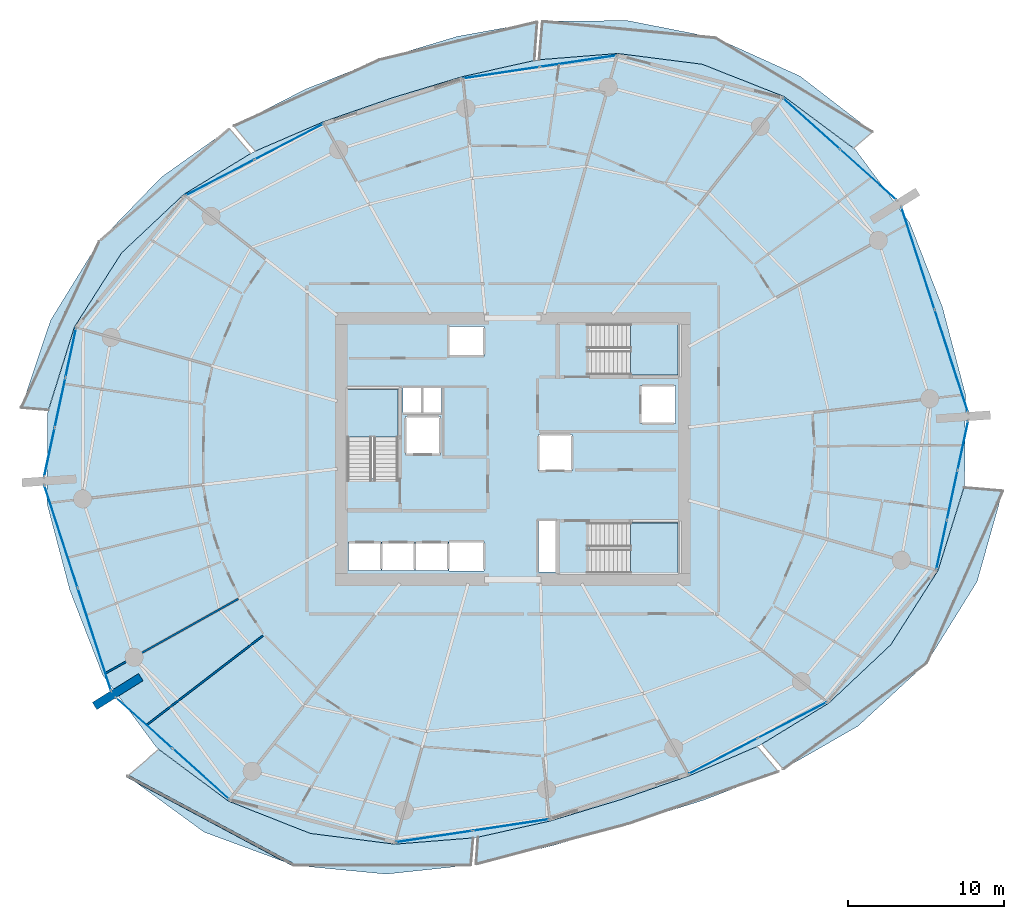
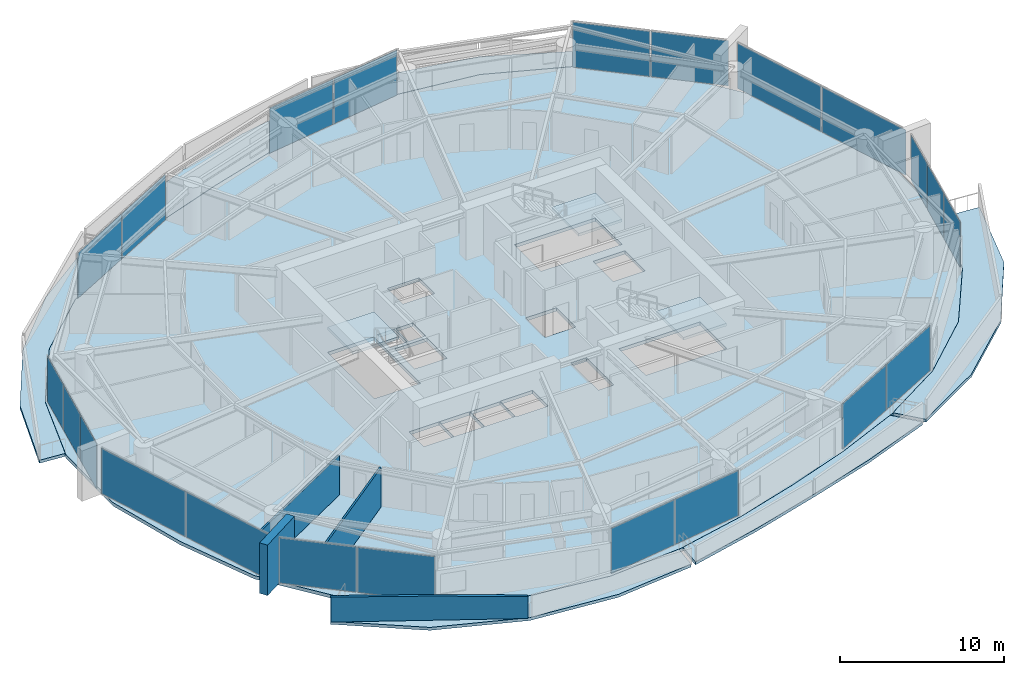
# One storey, part 10 of 22: 22 plates, 10 slabs, 4 walls, 13 elements without a shape of their own.
"""IFC4 building model written with IfcOpenShell, lengths in metres."""

from ifc_helpers import new_model, si_unit, direction, frame, frame_2d, origin, origin_2d, place, context, subcontext, project, spatial, polyline, rectangle, outline, extrude, material, layer, layer_set, type_object, element, aggregate, save


model = new_model("IFC4")

# Units and contexts
model_context = context("Model", 3, precision=1e-05, world=origin(), true_north=direction((0.0, 1.0)))
body_context = subcontext(model_context, "Body", "Model", "MODEL_VIEW")
ifc_project = project(units=[si_unit("LENGTHUNIT", "METRE"), si_unit("AREAUNIT", "SQUARE_METRE"), si_unit("VOLUMEUNIT", "CUBIC_METRE"), si_unit("PLANEANGLEUNIT", "RADIAN"), si_unit("MASSUNIT", "GRAM", prefix="KILO")], contexts=[model_context])

# Site, building, storey
site_placement = place(None, origin())
site = spatial("IfcSite", under=ifc_project, at=site_placement, CompositionType="ELEMENT")
building_placement = place(site_placement, origin())
building = spatial("IfcBuilding", under=site, at=building_placement, Name="Kazma Halo Residences", CompositionType="ELEMENT")
storey_placement = place(building_placement, frame((0.0, 0.0, 90.14990234375)))
storey = spatial("IfcBuildingStorey", under=building, at=storey_placement, Name="L22", CompositionType="ELEMENT", Elevation=90.14990234375)

# Curtain wall, plates
ifc_material_1 = material(Name="Aluminium AW-6063 T6 and Triple-Silver Low-E Glass", Category="aluminium")
ifc_layer_1 = layer(ifc_material_1, 0.199951171875)
ifc_layer_set_1 = layer_set([ifc_layer_1], Name="Aluminium AW-6063 T6 and Triple-Silver Low-E Glass")
curtain_wall_type = type_object("IfcCurtainWallType", Name="CW-SYS-3", PredefinedType="NOTDEFINED", material=ifc_layer_set_1)
curtain_wall_1_placement = place(storey_placement, origin())
curtain_wall_1 = element("IfcCurtainWall", 1, at=curtain_wall_1_placement, inside=storey, type_object=curtain_wall_type, Name="L22 unitised curtain wall B01", PredefinedType="NOTDEFINED")
ifc_material_2 = material(Name="Clear Triple-Silver Low-E Glass IGU", Category="glass")
ifc_layer_2 = layer(ifc_material_2, 0.030029296875)
ifc_layer_set_2 = layer_set([ifc_layer_2], Name="Clear Triple-Silver Low-E Glass IGU")
plate_type = type_object("IfcPlateType", Name="CW-SYS-3-PNL", PredefinedType="CURTAIN_PANEL", material=ifc_layer_set_2)
plate_1_placement = place(storey_placement, frame((71.251220703125, 59.614013671875, 0.06982421875), z_axis=(0.0, 0.0, 1.0), x_axis=(-0.744345279359, 0.667794957375, 0.0)))
plate_1 = element("IfcPlate", 2, at=plate_1_placement, type_object=plate_type, Name="CWS-3 panel 1.1", PredefinedType="CURTAIN_PANEL", context=body_context, shape_type="SweptSolid", body=[
    extrude(rectangle(XDim=4.81982421875, YDim=0.030029296875, at=origin_2d()), origin(), (0.0, 0.0, 1.0), 3.360107421875),
])
plate_2_placement = place(storey_placement, frame((67.611572265625, 62.87939453125, 0.06982421875), z_axis=(0.0, 0.0, 1.0), x_axis=(-0.744345279359, 0.667794957375, 0.0)))
plate_2 = element("IfcPlate", 3, at=plate_2_placement, type_object=plate_type, Name="CWS-3 panel 2.1", PredefinedType="CURTAIN_PANEL", context=body_context, shape_type="SweptSolid", body=[
    extrude(rectangle(XDim=4.81982421875, YDim=0.030029296875, at=origin_2d()), origin(), (0.0, 0.0, 1.0), 3.360107421875),
])
aggregate(curtain_wall_1, [plate_1, plate_2])

curtain_wall_2_placement = place(storey_placement, origin())
curtain_wall_2 = element("IfcCurtainWall", 4, at=curtain_wall_2_placement, inside=storey, type_object=curtain_wall_type, Name="L22 unitised curtain wall B03", PredefinedType="NOTDEFINED")
plate_3_placement = place(storey_placement, frame((52.625732421875, 66.900390625, 0.06982421875), z_axis=(0.0, 0.0, 1.0), x_axis=(-0.988879747814, -0.148717330409, 0.0)))
plate_3 = element("IfcPlate", 5, at=plate_3_placement, type_object=plate_type, Name="CWS-3 panel 1.1", PredefinedType="CURTAIN_PANEL", context=body_context, shape_type="SweptSolid", body=[
    extrude(rectangle(XDim=4.922607421875, YDim=0.030029296875, at=origin_2d()), origin(), (0.0, 0.0, 1.0), 3.360107421875),
])
plate_4_placement = place(storey_placement, frame((47.6884765625, 66.157958984375, 0.06982421875), z_axis=(0.0, 0.0, 1.0), x_axis=(-0.988879747814, -0.148717330409, 0.0)))
plate_4 = element("IfcPlate", 6, at=plate_4_placement, type_object=plate_type, Name="CWS-3 panel 2.1", PredefinedType="CURTAIN_PANEL", context=body_context, shape_type="SweptSolid", body=[
    extrude(rectangle(XDim=4.922607421875, YDim=0.030029296875, at=origin_2d()), origin(), (0.0, 0.0, 1.0), 3.360107421875),
])
aggregate(curtain_wall_2, [plate_3, plate_4])

curtain_wall_3_placement = place(storey_placement, origin())
curtain_wall_3 = element("IfcCurtainWall", 7, at=curtain_wall_3_placement, inside=storey, type_object=curtain_wall_type, Name="L22 unitised curtain wall B05", PredefinedType="NOTDEFINED")
plate_5_placement = place(storey_placement, frame((34.052490234375, 61.727294921875, 0.06982421875), z_axis=(0.0, 0.0, 1.0), x_axis=(-0.887435374749, -0.460932159481, 0.0)))
plate_5 = element("IfcPlate", 8, at=plate_5_placement, type_object=plate_type, Name="CWS-3 panel 1.1", PredefinedType="CURTAIN_PANEL", context=body_context, shape_type="SweptSolid", body=[
    extrude(rectangle(XDim=4.9228515625, YDim=0.030029296875, at=origin_2d()), origin(), (0.0, 0.0, 1.0), 3.360107421875),
])
plate_6_placement = place(storey_placement, frame((29.62158203125, 59.426025390625, 0.06982421875), z_axis=(0.0, 0.0, 1.0), x_axis=(-0.887435374749, -0.460932159481, 0.0)))
plate_6 = element("IfcPlate", 9, at=plate_6_placement, type_object=plate_type, Name="CWS-3 panel 2.1", PredefinedType="CURTAIN_PANEL", context=body_context, shape_type="SweptSolid", body=[
    extrude(rectangle(XDim=4.9228515625, YDim=0.030029296875, at=origin_2d()), origin(), (0.0, 0.0, 1.0), 3.360107421875),
])
aggregate(curtain_wall_3, [plate_5, plate_6])

curtain_wall_4_placement = place(storey_placement, origin())
curtain_wall_4 = element("IfcCurtainWall", 10, at=curtain_wall_4_placement, inside=storey, type_object=curtain_wall_type, Name="L22 unitised curtain wall B07", PredefinedType="NOTDEFINED")
plate_7_placement = place(storey_placement, frame((20.033447265625, 48.1669921875, 0.06982421875), z_axis=(0.0, 0.0, 1.0), x_axis=(-0.209660822677, -0.977774176093, 0.0)))
plate_7 = element("IfcPlate", 11, at=plate_7_placement, type_object=plate_type, Name="CWS-3 panel 1.1", PredefinedType="CURTAIN_PANEL", context=body_context, shape_type="SweptSolid", body=[
    extrude(rectangle(XDim=3.17822265625, YDim=0.030029296875, at=origin_2d()), origin(), (0.0, 0.0, 1.0), 3.360107421875),
])
plate_8_placement = place(storey_placement, frame((19.3486328125, 44.973876953125, 0.06982421875), z_axis=(0.0, 0.0, 1.0), x_axis=(-0.209660822677, -0.977774176093, 0.0)))
plate_8 = element("IfcPlate", 12, at=plate_8_placement, type_object=plate_type, Name="CWS-3 panel 2.1", PredefinedType="CURTAIN_PANEL", context=body_context, shape_type="SweptSolid", body=[
    extrude(rectangle(XDim=3.213134765625, YDim=0.030029296875, at=origin_2d()), origin(), (0.0, 0.0, 1.0), 3.360107421875),
])
plate_9_placement = place(storey_placement, frame((18.6640625, 41.78076171875, 0.06982421875), z_axis=(0.0, 0.0, 1.0), x_axis=(-0.209660822677, -0.977774176093, 0.0)))
plate_9 = element("IfcPlate", 13, at=plate_9_placement, type_object=plate_type, Name="CWS-3 panel 3.1", PredefinedType="CURTAIN_PANEL", context=body_context, shape_type="SweptSolid", body=[
    extrude(rectangle(XDim=3.17822265625, YDim=0.030029296875, at=origin_2d()), origin(), (0.0, 0.0, 1.0), 3.360107421875),
])
aggregate(curtain_wall_4, [plate_7, plate_8, plate_9])

curtain_wall_5_placement = place(storey_placement, origin())
curtain_wall_5 = element("IfcCurtainWall", 14, at=curtain_wall_5_placement, inside=storey, type_object=curtain_wall_type, Name="L22 unitised curtain wall B08", PredefinedType="NOTDEFINED")
plate_10_placement = place(storey_placement, frame((19.40673828125, 36.357421875, 0.06982421875), z_axis=(0.0, 0.0, 1.0), x_axis=(0.309013282008, -0.951057722508, 0.0)))
plate_10 = element("IfcPlate", 15, at=plate_10_placement, type_object=plate_type, Name="CWS-3 panel 1.1", PredefinedType="CURTAIN_PANEL", context=body_context, shape_type="SweptSolid", body=[
    extrude(rectangle(XDim=6.868896484375, YDim=0.030029296875, at=origin_2d()), origin(), (0.0, 0.0, 1.0), 3.360107421875),
])
plate_11_placement = place(storey_placement, frame((21.551025390625, 29.758056640625, 0.06982421875), z_axis=(0.0, 0.0, 1.0), x_axis=(0.309013282008, -0.951057722508, 0.0)))
plate_11 = element("IfcPlate", 16, at=plate_11_placement, type_object=plate_type, Name="CWS-3 panel 2.1", PredefinedType="CURTAIN_PANEL", context=body_context, shape_type="SweptSolid", body=[
    extrude(rectangle(XDim=6.868896484375, YDim=0.030029296875, at=origin_2d()), origin(), (0.0, 0.0, 1.0), 3.360107421875),
])
aggregate(curtain_wall_5, [plate_10, plate_11])

curtain_wall_6_placement = place(storey_placement, origin())
curtain_wall_6 = element("IfcCurtainWall", 17, at=curtain_wall_6_placement, inside=storey, type_object=curtain_wall_type, Name="L22 unitised curtain wall B09", PredefinedType="NOTDEFINED")
plate_12_placement = place(storey_placement, frame((24.748779296875, 24.385986328125, 0.06982421875), z_axis=(0.0, 0.0, 1.0), x_axis=(0.744345279359, -0.667794957375, 0.0)))
plate_12 = element("IfcPlate", 18, at=plate_12_placement, type_object=plate_type, Name="CWS-3 panel 1.1", PredefinedType="CURTAIN_PANEL", context=body_context, shape_type="SweptSolid", body=[
    extrude(rectangle(XDim=4.81982421875, YDim=0.030029296875, at=origin_2d()), origin(), (0.0, 0.0, 1.0), 3.360107421875),
])
plate_13_placement = place(storey_placement, frame((28.388427734375, 21.12060546875, 0.06982421875), z_axis=(0.0, 0.0, 1.0), x_axis=(0.744345279359, -0.667794957375, 0.0)))
plate_13 = element("IfcPlate", 19, at=plate_13_placement, type_object=plate_type, Name="CWS-3 panel 2.1", PredefinedType="CURTAIN_PANEL", context=body_context, shape_type="SweptSolid", body=[
    extrude(rectangle(XDim=4.81982421875, YDim=0.030029296875, at=origin_2d()), origin(), (0.0, 0.0, 1.0), 3.360107421875),
])
aggregate(curtain_wall_6, [plate_12, plate_13])

curtain_wall_7_placement = place(storey_placement, origin())
curtain_wall_7 = element("IfcCurtainWall", 20, at=curtain_wall_7_placement, inside=storey, type_object=curtain_wall_type, Name="L22 unitised curtain wall B11", PredefinedType="NOTDEFINED")
plate_14_placement = place(storey_placement, frame((43.374267578125, 17.099609375, 0.06982421875), z_axis=(0.0, 0.0, 1.0), x_axis=(0.988879747814, 0.148717330409, 0.0)))
plate_14 = element("IfcPlate", 21, at=plate_14_placement, type_object=plate_type, Name="CWS-3 panel 1.1", PredefinedType="CURTAIN_PANEL", context=body_context, shape_type="SweptSolid", body=[
    extrude(rectangle(XDim=4.922607421875, YDim=0.030029296875, at=origin_2d()), origin(), (0.0, 0.0, 1.0), 3.360107421875),
])
plate_15_placement = place(storey_placement, frame((48.3115234375, 17.842041015625, 0.06982421875), z_axis=(0.0, 0.0, 1.0), x_axis=(0.988879747814, 0.148717330409, 0.0)))
plate_15 = element("IfcPlate", 22, at=plate_15_placement, type_object=plate_type, Name="CWS-3 panel 2.1", PredefinedType="CURTAIN_PANEL", context=body_context, shape_type="SweptSolid", body=[
    extrude(rectangle(XDim=4.922607421875, YDim=0.030029296875, at=origin_2d()), origin(), (0.0, 0.0, 1.0), 3.360107421875),
])
aggregate(curtain_wall_7, [plate_14, plate_15])

curtain_wall_8_placement = place(storey_placement, origin())
curtain_wall_8 = element("IfcCurtainWall", 23, at=curtain_wall_8_placement, inside=storey, type_object=curtain_wall_type, Name="L22 unitised curtain wall B13", PredefinedType="NOTDEFINED")
plate_16_placement = place(storey_placement, frame((61.947509765625, 22.272705078125, 0.06982421875), z_axis=(0.0, 0.0, 1.0), x_axis=(0.887435374749, 0.460932159481, 0.0)))
plate_16 = element("IfcPlate", 24, at=plate_16_placement, type_object=plate_type, Name="CWS-3 panel 1.1", PredefinedType="CURTAIN_PANEL", context=body_context, shape_type="SweptSolid", body=[
    extrude(rectangle(XDim=4.9228515625, YDim=0.030029296875, at=origin_2d()), origin(), (0.0, 0.0, 1.0), 3.360107421875),
])
plate_17_placement = place(storey_placement, frame((66.37841796875, 24.573974609375, 0.06982421875), z_axis=(0.0, 0.0, 1.0), x_axis=(0.887435374749, 0.460932159481, 0.0)))
plate_17 = element("IfcPlate", 25, at=plate_17_placement, type_object=plate_type, Name="CWS-3 panel 2.1", PredefinedType="CURTAIN_PANEL", context=body_context, shape_type="SweptSolid", body=[
    extrude(rectangle(XDim=4.9228515625, YDim=0.030029296875, at=origin_2d()), origin(), (0.0, 0.0, 1.0), 3.360107421875),
])
aggregate(curtain_wall_8, [plate_16, plate_17])

curtain_wall_9_placement = place(storey_placement, origin())
curtain_wall_9 = element("IfcCurtainWall", 26, at=curtain_wall_9_placement, inside=storey, type_object=curtain_wall_type, Name="L22 unitised curtain wall B15", PredefinedType="NOTDEFINED")
plate_18_placement = place(storey_placement, frame((75.966552734375, 35.8330078125, 0.06982421875), z_axis=(0.0, 0.0, 1.0), x_axis=(0.209660822677, 0.977774176093, 0.0)))
plate_18 = element("IfcPlate", 27, at=plate_18_placement, type_object=plate_type, Name="CWS-3 panel 1.1", PredefinedType="CURTAIN_PANEL", context=body_context, shape_type="SweptSolid", body=[
    extrude(rectangle(XDim=3.17822265625, YDim=0.030029296875, at=origin_2d()), origin(), (0.0, 0.0, 1.0), 3.360107421875),
])
plate_19_placement = place(storey_placement, frame((76.6513671875, 39.026123046875, 0.06982421875), z_axis=(0.0, 0.0, 1.0), x_axis=(0.209660822677, 0.977774176093, 0.0)))
plate_19 = element("IfcPlate", 28, at=plate_19_placement, type_object=plate_type, Name="CWS-3 panel 2.1", PredefinedType="CURTAIN_PANEL", context=body_context, shape_type="SweptSolid", body=[
    extrude(rectangle(XDim=3.213134765625, YDim=0.030029296875, at=origin_2d()), origin(), (0.0, 0.0, 1.0), 3.360107421875),
])
plate_20_placement = place(storey_placement, frame((77.3359375, 42.21923828125, 0.06982421875), z_axis=(0.0, 0.0, 1.0), x_axis=(0.209660822677, 0.977774176093, 0.0)))
plate_20 = element("IfcPlate", 29, at=plate_20_placement, type_object=plate_type, Name="CWS-3 panel 3.1", PredefinedType="CURTAIN_PANEL", context=body_context, shape_type="SweptSolid", body=[
    extrude(rectangle(XDim=3.17822265625, YDim=0.030029296875, at=origin_2d()), origin(), (0.0, 0.0, 1.0), 3.360107421875),
])
aggregate(curtain_wall_9, [plate_18, plate_19, plate_20])

curtain_wall_10_placement = place(storey_placement, origin())
curtain_wall_10 = element("IfcCurtainWall", 30, at=curtain_wall_10_placement, inside=storey, type_object=curtain_wall_type, Name="L22 unitised curtain wall B16", PredefinedType="NOTDEFINED")
plate_21_placement = place(storey_placement, frame((76.59326171875, 47.642578125, 0.06982421875), z_axis=(0.0, 0.0, 1.0), x_axis=(-0.309013282008, 0.951057722508, 0.0)))
plate_21 = element("IfcPlate", 31, at=plate_21_placement, type_object=plate_type, Name="CWS-3 panel 1.1", PredefinedType="CURTAIN_PANEL", context=body_context, shape_type="SweptSolid", body=[
    extrude(rectangle(XDim=6.868896484375, YDim=0.030029296875, at=origin_2d()), origin(), (0.0, 0.0, 1.0), 3.360107421875),
])
plate_22_placement = place(storey_placement, frame((74.448974609375, 54.241943359375, 0.06982421875), z_axis=(0.0, 0.0, 1.0), x_axis=(-0.309013282008, 0.951057722508, 0.0)))
plate_22 = element("IfcPlate", 32, at=plate_22_placement, type_object=plate_type, Name="CWS-3 panel 2.1", PredefinedType="CURTAIN_PANEL", context=body_context, shape_type="SweptSolid", body=[
    extrude(rectangle(XDim=6.868896484375, YDim=0.030029296875, at=origin_2d()), origin(), (0.0, 0.0, 1.0), 3.360107421875),
])
aggregate(curtain_wall_10, [plate_21, plate_22])

# Slabs
ifc_material_3 = material(Name="White Concrete C50/60", Category="concrete")
ifc_layer_3 = layer(ifc_material_3, 0.219970703125)
ifc_layer_set_3 = layer_set([ifc_layer_3], Name="White Concrete C50/60")
slab_type_1 = type_object("IfcSlabType", Name="SLB-BAL-WAVE-210", PredefinedType="FLOOR", material=ifc_layer_set_3)
slab_1_placement = place(storey_placement, frame((0.0, 0.0, -0.219970703125)))
element("IfcSlab", 33, at=slab_1_placement, inside=storey, type_object=slab_type_1, Name="L22 NE cantilevered wave balcony slab", PredefinedType="FLOOR", context=body_context, shape_type="SweptSolid", body=[
    extrude(outline(polyline([(70.323974609375, 61.303466796875), (65.841064453125, 64.63134765625), (60.5869140625, 66.702880859375), (55.161865234375, 67.394287109375), (50.12060546875, 66.992431640625), (50.32958984375, 69.454345703125), (55.759033203125, 69.51123046875), (61.448974609375, 68.39501953125), (66.872314453125, 65.939453125), (71.534423828125, 62.35009765625), (70.323974609375, 61.303466796875)])), origin(), (0.0, 0.0, 1.0), 0.219970703125),
])
slab_2_placement = place(storey_placement, frame((0.0, 0.0, -0.219970703125)))
element("IfcSlab", 34, at=slab_2_placement, inside=storey, type_object=slab_type_1, Name="L22 NNW cantilevered wave balcony slab", PredefinedType="FLOOR", context=body_context, shape_type="SweptSolid", body=[
    extrude(outline(polyline([(49.81005859375, 66.94580078125), (45.1708984375, 65.902587890625), (40.675048828125, 64.544189453125), (36.239013671875, 63.00048828125), (31.872802734375, 61.11767578125), (30.509521484375, 62.73388671875), (35.072998046875, 65.0830078125), (39.878173828125, 66.996337890625), (44.864501953125, 68.49267578125), (49.989501953125, 69.418701171875), (49.81005859375, 66.94580078125)])), origin(), (0.0, 0.0, 1.0), 0.219970703125),
])
slab_3_placement = place(storey_placement, frame((0.0, 0.0, -0.219970703125)))
element("IfcSlab", 35, at=slab_3_placement, inside=storey, type_object=slab_type_1, Name="L22 NW cantilevered wave balcony slab", PredefinedType="FLOOR", context=body_context, shape_type="SweptSolid", body=[
    extrude(outline(polyline([(31.59423828125, 60.972900390625), (27.279541015625, 58.334716796875), (23.297119140625, 54.5869140625), (20.263916015625, 49.822509765625), (18.59326171875, 44.4951171875), (16.853759765625, 44.642822265625), (18.735595703125, 50.25341796875), (21.855712890625, 55.321044921875), (25.858642578125, 59.454833984375), (30.220458984375, 62.5615234375), (31.59423828125, 60.972900390625)])), origin(), (0.0, 0.0, 1.0), 0.219970703125),
])
slab_4_placement = place(storey_placement, frame((0.0, 0.0, -0.219970703125)))
element("IfcSlab", 36, at=slab_4_placement, inside=storey, type_object=slab_type_1, Name="L22 SW cantilevered wave balcony slab", PredefinedType="FLOOR", context=body_context, shape_type="SweptSolid", body=[
    extrude(outline(polyline([(25.676025390625, 22.696533203125), (30.158935546875, 19.36865234375), (35.4130859375, 17.297119140625), (40.838134765625, 16.605712890625), (45.87939453125, 17.007568359375), (45.7314453125, 15.264892578125), (40.296142578125, 14.68408203125), (34.370361328125, 15.25048828125), (28.59228515625, 17.381591796875), (23.67919921875, 20.9697265625), (25.676025390625, 22.696533203125)])), origin(), (0.0, 0.0, 1.0), 0.219970703125),
])
slab_5_placement = place(storey_placement, frame((0.0, 0.0, -0.219970703125)))
element("IfcSlab", 37, at=slab_5_placement, inside=storey, type_object=slab_type_1, Name="L22 SSE cantilevered wave balcony slab", PredefinedType="FLOOR", context=body_context, shape_type="SweptSolid", body=[
    extrude(outline(polyline([(46.18994140625, 17.05419921875), (50.8291015625, 18.097412109375), (55.324951171875, 19.455810546875), (59.760986328125, 20.99951171875), (64.127197265625, 22.88232421875), (65.478271484375, 21.280517578125), (60.644775390625, 19.4208984375), (55.824951171875, 17.91748046875), (51.015625, 16.5205078125), (46.064697265625, 15.327880859375), (46.18994140625, 17.05419921875)])), origin(), (0.0, 0.0, 1.0), 0.219970703125),
])
slab_6_placement = place(storey_placement, frame((0.0, 0.0, -0.219970703125)))
element("IfcSlab", 38, at=slab_6_placement, inside=storey, type_object=slab_type_1, Name="L22 SE cantilevered wave balcony slab", PredefinedType="FLOOR", context=body_context, shape_type="SweptSolid", body=[
    extrude(outline(polyline([(64.40576171875, 23.027099609375), (68.720458984375, 25.665283203125), (72.702880859375, 29.4130859375), (75.736083984375, 34.177490234375), (77.40673828125, 39.5048828125), (79.892333984375, 39.2939453125), (78.24609375, 33.4697265625), (75.000244140625, 28.24267578125), (70.594970703125, 24.1875), (65.7919921875, 21.424072265625), (64.40576171875, 23.027099609375)])), origin(), (0.0, 0.0, 1.0), 0.219970703125),
])
ifc_material_4 = material(Name="Concrete C50/60", Category="concrete")
ifc_layer_4 = layer(ifc_material_4, 0.25)
ifc_layer_set_4 = layer_set([ifc_layer_4], Name="Concrete C50/60")
slab_type_2 = type_object("IfcSlabType", Name="SLB-RES-250", PredefinedType="FLOOR", material=ifc_layer_set_4)
slab_7_placement = place(storey_placement, frame((0.0, 0.0, -0.25)))
element("IfcSlab", 39, at=slab_7_placement, inside=storey, type_object=slab_type_2, Name="L22 structural floor slab", PredefinedType="FLOOR", context=body_context, shape_type="SweptSolid", body=[
    extrude(outline(polyline([(76.02001953125, 51.104248046875), (73.918212890625, 56.514892578125), (70.459716796875, 61.182373046875), (65.83984375, 64.629638671875), (60.5859375, 66.701171875), (55.161376953125, 67.392333984375), (49.9658203125, 66.976806640625), (45.171142578125, 65.900634765625), (40.675537109375, 64.542236328125), (36.239990234375, 62.998779296875), (31.728759765625, 61.05126953125), (27.281005859375, 58.33349609375), (23.298828125, 54.5859375), (20.265869140625, 49.82177734375), (18.554443359375, 44.3173828125), (18.500244140625, 38.508544921875), (19.97998046875, 32.895751953125), (22.081787109375, 27.485107421875), (25.540283203125, 22.817626953125), (30.16015625, 19.370361328125), (35.4140625, 17.298828125), (40.838623046875, 16.607666015625), (46.0341796875, 17.023193359375), (50.828857421875, 18.099365234375), (55.324462890625, 19.457763671875), (59.760009765625, 21.001220703125), (64.271240234375, 22.94873046875), (68.718994140625, 25.66650390625), (72.701171875, 29.4140625), (75.734130859375, 34.17822265625), (77.445556640625, 39.6826171875), (77.499755859375, 45.491455078125), (76.02001953125, 51.104248046875)]), holes=[polyline([(37.800048828125, 40.110107421875), (41.050048828125, 40.110107421875), (41.050048828125, 45.800048828125), (37.800048828125, 45.800048828125), (37.800048828125, 40.110107421875)]), polyline([(53.360107421875, 46.75), (59.050048828125, 46.75), (59.050048828125, 50.0), (53.360107421875, 50.0), (53.360107421875, 46.75)]), polyline([(53.360107421875, 34.0), (59.050048828125, 34.0), (59.050048828125, 37.25), (53.360107421875, 37.25), (53.360107421875, 34.0)]), polyline([(41.52001953125, 41.6201171875), (43.780029296875, 41.6201171875), (43.780029296875, 44.080078125), (41.52001953125, 44.080078125), (41.52001953125, 41.6201171875)]), polyline([(56.6201171875, 43.6201171875), (58.8798828125, 43.6201171875), (58.8798828125, 46.080078125), (56.6201171875, 46.080078125), (56.6201171875, 43.6201171875)]), polyline([(37.864990234375, 34.195068359375), (39.97509765625, 34.195068359375), (39.97509765625, 36.0048828125), (37.864990234375, 36.0048828125), (37.864990234375, 34.195068359375)]), polyline([(40.014892578125, 34.195068359375), (42.125, 34.195068359375), (42.125, 36.0048828125), (40.014892578125, 36.0048828125), (40.014892578125, 34.195068359375)]), polyline([(42.1650390625, 34.195068359375), (44.27490234375, 34.195068359375), (44.27490234375, 36.0048828125), (42.1650390625, 36.0048828125), (42.1650390625, 34.195068359375)]), polyline([(44.320068359375, 47.945068359375), (46.580078125, 47.945068359375), (46.580078125, 49.85498046875), (44.320068359375, 49.85498046875), (44.320068359375, 47.945068359375)]), polyline([(44.320068359375, 34.14501953125), (46.580078125, 34.14501953125), (46.580078125, 36.054931640625), (44.320068359375, 36.054931640625), (44.320068359375, 34.14501953125)]), polyline([(50.070068359375, 40.570068359375), (52.22998046875, 40.570068359375), (52.22998046875, 42.929931640625), (50.070068359375, 42.929931640625), (50.070068359375, 40.570068359375)]), polyline([(41.360107421875, 44.340087890625), (42.5400390625, 44.340087890625), (42.5400390625, 45.89990234375), (41.360107421875, 45.89990234375), (41.360107421875, 44.340087890625)]), polyline([(42.659912109375, 44.340087890625), (43.840087890625, 44.340087890625), (43.840087890625, 45.89990234375), (42.659912109375, 45.89990234375), (42.659912109375, 44.340087890625)]), polyline([(50.06005859375, 34.080078125), (51.159912109375, 34.080078125), (51.159912109375, 37.3798828125), (50.06005859375, 37.3798828125), (50.06005859375, 34.080078125)])]), origin(), (0.0, 0.0, 1.0), 0.25),
])

# Stair, slab
stair_type = type_object("IfcStairType", Name="STR-RES1", PredefinedType="HALF_TURN_STAIR", material=ifc_material_4)
stair_1_placement = place(storey_placement, origin())
stair_1 = element("IfcStair", 40, at=stair_1_placement, inside=storey, type_object=stair_type, Name="L22 Core exit stair ST-01", PredefinedType="HALF_TURN_STAIR")
ifc_layer_5 = layer(ifc_material_4, 0.199951171875)
ifc_layer_set_5 = layer_set([ifc_layer_5], Name="Concrete C50/60")
slab_type_3 = type_object("IfcSlabType", Name="SLB-STAIR-LND-200", PredefinedType="LANDING", material=ifc_layer_set_5)
slab_8_placement = place(storey_placement, frame((0.0, 0.0, 1.675048828125)))
slab_8 = element("IfcSlab", 41, at=slab_8_placement, type_object=slab_type_3, Name="ST-01 landing 1", PredefinedType="LANDING", context=body_context, shape_type="SweptSolid", body=[
    extrude(outline(polyline([(41.050048828125, 42.75), (41.050048828125, 45.800048828125), (37.800048828125, 45.800048828125), (37.800048828125, 42.75), (41.050048828125, 42.75)])), origin(), (0.0, 0.0, 1.0), 0.199951171875),
])
aggregate(stair_1, [slab_8])

stair_2_placement = place(storey_placement, origin())
stair_2 = element("IfcStair", 42, at=stair_2_placement, inside=storey, type_object=stair_type, Name="L22 Core exit stair ST-02", PredefinedType="HALF_TURN_STAIR")
slab_9_placement = place(storey_placement, frame((0.0, 0.0, 1.675048828125)))
slab_9 = element("IfcSlab", 43, at=slab_9_placement, type_object=slab_type_3, Name="ST-02 landing 1", PredefinedType="LANDING", context=body_context, shape_type="SweptSolid", body=[
    extrude(outline(polyline([(56.0, 46.75), (59.050048828125, 46.75), (59.050048828125, 50.0), (56.0, 50.0), (56.0, 46.75)])), origin(), (0.0, 0.0, 1.0), 0.199951171875),
])
aggregate(stair_2, [slab_9])

stair_3_placement = place(storey_placement, origin())
stair_3 = element("IfcStair", 44, at=stair_3_placement, inside=storey, type_object=stair_type, Name="L22 Core exit stair ST-03", PredefinedType="HALF_TURN_STAIR")
slab_10_placement = place(storey_placement, frame((0.0, 0.0, 1.675048828125)))
slab_10 = element("IfcSlab", 45, at=slab_10_placement, type_object=slab_type_3, Name="ST-03 landing 1", PredefinedType="LANDING", context=body_context, shape_type="SweptSolid", body=[
    extrude(outline(polyline([(56.0, 34.0), (59.050048828125, 34.0), (59.050048828125, 37.25), (56.0, 37.25), (56.0, 34.0)])), origin(), (0.0, 0.0, 1.0), 0.199951171875),
])
aggregate(stair_3, [slab_10])

# Walls
ifc_material_5 = material(Name="White Concrete C50/60 Balustrade", Category="concrete")
ifc_layer_6 = layer(ifc_material_5, 0.179931640625)
ifc_layer_set_6 = layer_set([ifc_layer_6], Name="White Concrete C50/60 Balustrade")
wall_type_1 = type_object("IfcWallType", Name="WL-BAL-WAVE-180", PredefinedType="PARAPET", material=ifc_layer_set_6)
wall_1_placement = place(storey_placement, frame((23.67919921875, 20.9697265625, 0.0), z_axis=(0.0, 0.0, 1.0), x_axis=(0.881754939151, -0.471707777425, 0.0)))
element("IfcWall", 46, at=wall_1_placement, inside=storey, type_object=wall_type_1, Name="L22 white wave balustrade wall SW.1", PredefinedType="PARAPET", context=body_context, shape_type="SweptSolid", body=[
    extrude(outline(polyline([(0.0, 0.0), (12.0048828125, 0.0), (12.0048828125, 1.632080078125), (6.00244140625, 1.798095703125), (0.0, 1.860107421875), (0.0, 0.0)])), frame((0.0, 0.08984375, 0.0), z_axis=(0.0, -1.0, 0.0), x_axis=(1.0, 0.0, 0.0)), (0.0, 0.0, 1.0), 0.179931640625),
])
ifc_material_6 = material(Name="Pale Concrete C60/75", Category="concrete")
ifc_layer_7 = layer(ifc_material_6, 0.550048828125)
ifc_layer_set_7 = layer_set([ifc_layer_7], Name="Pale Concrete C60/75")
wall_type_2 = type_object("IfcWallType", Name="WL-BLADE-550", PredefinedType="SOLIDWALL", material=ifc_layer_set_7)
wall_2_placement = place(storey_placement, frame((24.531494140625, 27.335205078125, 0.0), z_axis=(0.0, 0.0, 1.0), x_axis=(-0.848053161125, -0.529911158502, 0.0)))
element("IfcWall", 47, at=wall_2_placement, inside=storey, type_object=wall_type_2, Name="L22 pale concrete structural blade fin wall BW-03", PredefinedType="SOLIDWALL", context=body_context, shape_type="SweptSolid", body=[
    extrude(rectangle(XDim=3.5, YDim=0.550048828125, at=frame_2d((1.75, 0.0))), origin(), (0.0, 0.0, 1.0), 3.75),
])
ifc_material_7 = material(Name="Gypsum Plasterboard Partition")
ifc_layer_8 = layer(ifc_material_7, 0.125)
ifc_layer_set_8 = layer_set([ifc_layer_8], Name="Gypsum Plasterboard Partition")
wall_type_3 = type_object("IfcWallType", Name="WL-PART-125", PredefinedType="PARTITIONING", material=ifc_layer_set_8)
wall_3_placement = place(storey_placement, frame((30.803955078125, 32.36962890625, 0.0), z_axis=(0.0, 0.0, 1.0), x_axis=(-0.872500902675, -0.488612499668, 0.0)))
element("IfcWall", 48, at=wall_3_placement, inside=storey, type_object=wall_type_3, Name="L22 Apartment 1 radial partition 8", PredefinedType="PARTITIONING", context=body_context, shape_type="SweptSolid", body=[
    extrude(rectangle(XDim=9.770263671875, YDim=0.125, at=frame_2d((4.88525390625, 0.0))), origin(), (0.0, 0.0, 1.0), 2.940185546875),
])
wall_4_placement = place(storey_placement, frame((32.3779296875, 30.0, 0.0), z_axis=(0.0, 0.0, 1.0), x_axis=(-0.793018359225, -0.609197736315, 0.0)))
element("IfcWall", 49, at=wall_4_placement, inside=storey, type_object=wall_type_3, Name="L22 Apartment 1 mid-bay wall 8", PredefinedType="PARTITIONING", context=body_context, shape_type="SweptSolid", body=[
    extrude(rectangle(XDim=9.40869140625, YDim=0.125, at=frame_2d((4.704345703125, 0.0))), origin(), (0.0, 0.0, 1.0), 2.940185546875),
])

save(model, "model.ifc")
